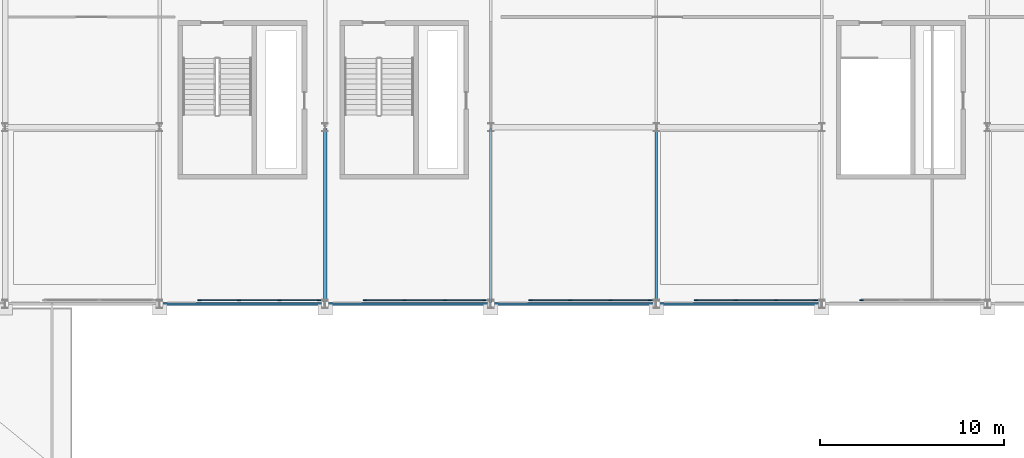
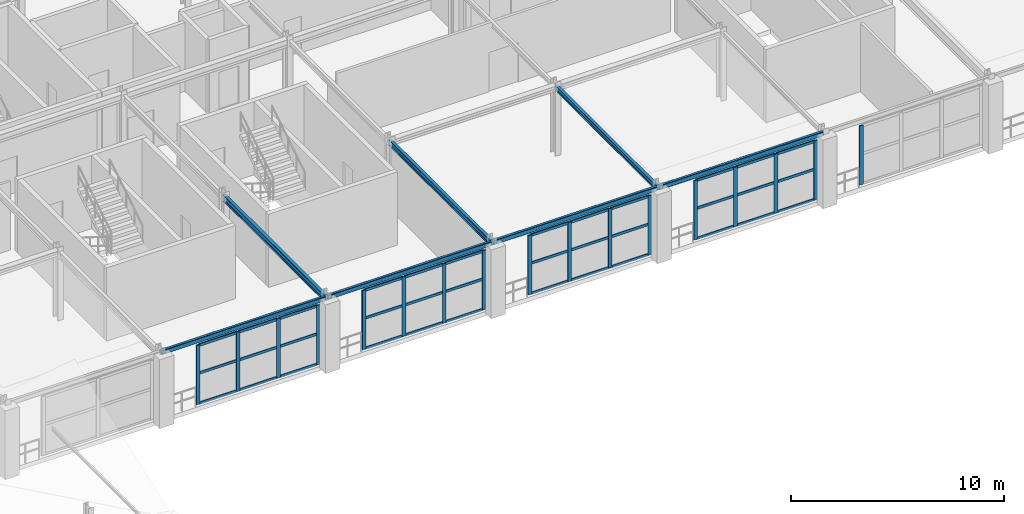
# One storey, part 30 of 81: 53 members, 7 beams, 5 elements without a shape of their own.
"""IFC4 building model written with IfcOpenShell, lengths in metres."""

from ifc_helpers import new_model, si_unit, direction, frame, origin, origin_2d, place, context, subcontext, project, spatial, rectangle, hollow_rectangle, i_section, extrude, material, layer, layer_set, material_profile, profile_set, type_object, element, aggregate, save


model = new_model("IFC4")

# Units and contexts
model_context = context("Model", 3, precision=1e-05, world=origin(), true_north=direction((0.0, 1.0)))
body_context = subcontext(model_context, "Body", "Model", "MODEL_VIEW")
ifc_project = project(units=[si_unit("LENGTHUNIT", "METRE"), si_unit("AREAUNIT", "SQUARE_METRE"), si_unit("VOLUMEUNIT", "CUBIC_METRE"), si_unit("PLANEANGLEUNIT", "RADIAN"), si_unit("MASSUNIT", "GRAM", prefix="KILO")], contexts=[model_context])

# Site, building, storey
site_placement = place(None, origin())
site = spatial("IfcSite", under=ifc_project, at=site_placement, CompositionType="ELEMENT")
building_placement = place(site_placement, origin())
building = spatial("IfcBuilding", under=site, at=building_placement, Name="Myrtia Square Station", CompositionType="ELEMENT")
storey_placement = place(building_placement, frame((0.0, 0.0, 10.800048828125)))
storey = spatial("IfcBuildingStorey", under=building, at=storey_placement, Name="L02", CompositionType="ELEMENT", Elevation=10.800048828125)

# Beams
ifc_material_1 = material(Name="Steel S355", Category="steel")
ifc_material_profile_1 = material_profile(ifc_material_1, i_section(OverallWidth=0.14990234375, OverallDepth=0.300048828125, WebThickness=0.007080078125, FlangeThickness=0.0107421875, FilletRadius=0.014892578125, at=origin_2d()), Name="IPE 300")
ifc_profile_set_1 = profile_set([ifc_material_profile_1], Name="Steel S355")
beam_type_1 = type_object("IfcBeamType", Name="BM-IPE300", PredefinedType="BEAM", material=ifc_profile_set_1)
beam_1_placement = place(storey_placement, frame((153.0, 86.449951171875, 3.81005859375), z_axis=(0.0, 1.0, 0.0), x_axis=(-1.0, 0.0, 0.0)))
element("IfcBeam", 1, at=beam_1_placement, inside=storey, type_object=beam_type_1, Name="Structural girder BMY-L02-0787", PredefinedType="BEAM", context=body_context, shape_type="SweptSolid", body=[
    extrude(i_section(OverallWidth=0.14990234375, OverallDepth=0.300048828125, WebThickness=0.007080078125, FlangeThickness=0.0107421875, FilletRadius=0.014892578125, at=origin_2d()), origin(), (0.0, 0.0, 1.0), 9.5),
])
ifc_material_profile_2 = material_profile(ifc_material_1, i_section(OverallWidth=0.159912109375, OverallDepth=0.330078125, WebThickness=0.007568359375, FlangeThickness=0.011474609375, FilletRadius=0.01806640625, at=origin_2d()), Name="IPE 330")
ifc_profile_set_2 = profile_set([ifc_material_profile_2], Name="Steel S355")
beam_type_2 = type_object("IfcBeamType", Name="BM-IPE330", PredefinedType="BEAM", material=ifc_profile_set_2)
beam_2_placement = place(storey_placement, frame((144.0, 86.449951171875, 3.794921875), z_axis=(0.0, 1.0, 0.0), x_axis=(-1.0, 0.0, 0.0)))
element("IfcBeam", 2, at=beam_2_placement, inside=storey, type_object=beam_type_2, Name="Structural girder BMY-L02-0783", PredefinedType="BEAM", context=body_context, shape_type="SweptSolid", body=[
    extrude(i_section(OverallWidth=0.159912109375, OverallDepth=0.330078125, WebThickness=0.007568359375, FlangeThickness=0.011474609375, FilletRadius=0.01806640625, at=origin_2d()), origin(), (0.0, 0.0, 1.0), 9.5),
])
ifc_material_profile_3 = material_profile(ifc_material_1, i_section(OverallWidth=0.169921875, OverallDepth=0.360107421875, WebThickness=0.008056640625, FlangeThickness=0.0126953125, FilletRadius=0.01806640625, at=origin_2d()), Name="IPE 360")
ifc_profile_set_3 = profile_set([ifc_material_profile_3], Name="Steel S355")
beam_type_3 = type_object("IfcBeamType", Name="BM-IPE360", PredefinedType="BEAM", material=ifc_profile_set_3)
beam_3_placement = place(storey_placement, frame((135.0, 86.449951171875, 3.780029296875), z_axis=(0.0, 1.0, 0.0), x_axis=(-1.0, 0.0, 0.0)))
element("IfcBeam", 3, at=beam_3_placement, inside=storey, type_object=beam_type_3, Name="Structural girder BMY-L02-0780", PredefinedType="BEAM", context=body_context, shape_type="SweptSolid", body=[
    extrude(i_section(OverallWidth=0.169921875, OverallDepth=0.360107421875, WebThickness=0.008056640625, FlangeThickness=0.0126953125, FilletRadius=0.01806640625, at=origin_2d()), origin(), (0.0, 0.0, 1.0), 9.5),
])

# Curtain wall, members
ifc_material_2 = material(Name="Dark bronze anodised aluminium", Category="aluminium")
ifc_layer = layer(ifc_material_2, 0.159912109375, Name="Dark bronze anodised aluminium")
ifc_layer_set = layer_set([ifc_layer], Name="Dark bronze anodised aluminium")
curtain_wall_type = type_object("IfcCurtainWallType", Name="CW-TYPE-40-658x340", PredefinedType="USERDEFINED", material=ifc_layer_set)
curtain_wall_1_placement = place(storey_placement, origin())
curtain_wall_1 = element("IfcCurtainWall", 4, at=curtain_wall_1_placement, inside=storey, type_object=curtain_wall_type, Name="Concourse curtain wall CW-L02-119", ObjectType="CONCOURSE CURTAIN WALL", PredefinedType="USERDEFINED")
ifc_material_profile_4 = material_profile(ifc_material_2, rectangle(XDim=0.06494140625, YDim=0.199951171875, at=origin_2d()), Name="ALU-M 65x200")
ifc_profile_set_4 = profile_set([ifc_material_profile_4], Name="Dark bronze anodised aluminium")
member_type_1 = type_object("IfcMemberType", Name="CWM-65x200", PredefinedType="MULLION", material=ifc_profile_set_4)
member_1_placement = place(storey_placement, frame((128.157470703125, 86.60009765625, 0.0), z_axis=(0.0, 0.0, 1.0), x_axis=(0.0, 1.0, 0.0)))
member_1 = element("IfcMember", 5, at=member_1_placement, type_object=member_type_1, Name="CW-119 mullion 1", PredefinedType="MULLION", context=body_context, shape_type="SweptSolid", body=[
    extrude(rectangle(XDim=0.06494140625, YDim=0.199951171875, at=origin_2d()), origin(), (0.0, 0.0, 1.0), 3.39990234375),
])
member_2_placement = place(storey_placement, frame((130.316650390625, 86.60009765625, 0.0), z_axis=(0.0, 0.0, 1.0), x_axis=(0.0, 1.0, 0.0)))
member_2 = element("IfcMember", 6, at=member_2_placement, type_object=member_type_1, Name="CW-119 mullion 2", PredefinedType="MULLION", context=body_context, shape_type="SweptSolid", body=[
    extrude(rectangle(XDim=0.06494140625, YDim=0.199951171875, at=origin_2d()), origin(), (0.0, 0.0, 1.0), 3.39990234375),
])
member_3_placement = place(storey_placement, frame((132.50830078125, 86.60009765625, 0.0), z_axis=(0.0, 0.0, 1.0), x_axis=(0.0, 1.0, 0.0)))
member_3 = element("IfcMember", 7, at=member_3_placement, type_object=member_type_1, Name="CW-119 mullion 3", PredefinedType="MULLION", context=body_context, shape_type="SweptSolid", body=[
    extrude(rectangle(XDim=0.06494140625, YDim=0.199951171875, at=origin_2d()), origin(), (0.0, 0.0, 1.0), 3.39990234375),
])
member_4_placement = place(storey_placement, frame((134.66748046875, 86.60009765625, 0.0), z_axis=(0.0, 0.0, 1.0), x_axis=(0.0, 1.0, 0.0)))
member_4 = element("IfcMember", 8, at=member_4_placement, type_object=member_type_1, Name="CW-119 mullion 4", PredefinedType="MULLION", context=body_context, shape_type="SweptSolid", body=[
    extrude(rectangle(XDim=0.06494140625, YDim=0.199951171875, at=origin_2d()), origin(), (0.0, 0.0, 1.0), 3.39990234375),
])

curtain_wall_2_placement = place(storey_placement, origin())
curtain_wall_2 = element("IfcCurtainWall", 9, at=curtain_wall_2_placement, inside=storey, type_object=curtain_wall_type, Name="Concourse curtain wall CW-L02-124", ObjectType="CONCOURSE CURTAIN WALL", PredefinedType="USERDEFINED")
member_5_placement = place(storey_placement, frame((137.157470703125, 86.60009765625, 0.0), z_axis=(0.0, 0.0, 1.0), x_axis=(0.0, 1.0, 0.0)))
member_5 = element("IfcMember", 10, at=member_5_placement, type_object=member_type_1, Name="CW-124 mullion 1", PredefinedType="MULLION", context=body_context, shape_type="SweptSolid", body=[
    extrude(rectangle(XDim=0.06494140625, YDim=0.199951171875, at=origin_2d()), origin(), (0.0, 0.0, 1.0), 3.39990234375),
])
member_6_placement = place(storey_placement, frame((139.316650390625, 86.60009765625, 0.0), z_axis=(0.0, 0.0, 1.0), x_axis=(0.0, 1.0, 0.0)))
member_6 = element("IfcMember", 11, at=member_6_placement, type_object=member_type_1, Name="CW-124 mullion 2", PredefinedType="MULLION", context=body_context, shape_type="SweptSolid", body=[
    extrude(rectangle(XDim=0.06494140625, YDim=0.199951171875, at=origin_2d()), origin(), (0.0, 0.0, 1.0), 3.39990234375),
])
member_7_placement = place(storey_placement, frame((141.50830078125, 86.60009765625, 0.0), z_axis=(0.0, 0.0, 1.0), x_axis=(0.0, 1.0, 0.0)))
member_7 = element("IfcMember", 12, at=member_7_placement, type_object=member_type_1, Name="CW-124 mullion 3", PredefinedType="MULLION", context=body_context, shape_type="SweptSolid", body=[
    extrude(rectangle(XDim=0.06494140625, YDim=0.199951171875, at=origin_2d()), origin(), (0.0, 0.0, 1.0), 3.39990234375),
])
member_8_placement = place(storey_placement, frame((143.66748046875, 86.60009765625, 0.0), z_axis=(0.0, 0.0, 1.0), x_axis=(0.0, 1.0, 0.0)))
member_8 = element("IfcMember", 13, at=member_8_placement, type_object=member_type_1, Name="CW-124 mullion 4", PredefinedType="MULLION", context=body_context, shape_type="SweptSolid", body=[
    extrude(rectangle(XDim=0.06494140625, YDim=0.199951171875, at=origin_2d()), origin(), (0.0, 0.0, 1.0), 3.39990234375),
])

curtain_wall_3_placement = place(storey_placement, origin())
curtain_wall_3 = element("IfcCurtainWall", 14, at=curtain_wall_3_placement, inside=storey, type_object=curtain_wall_type, Name="Concourse curtain wall CW-L02-128", ObjectType="CONCOURSE CURTAIN WALL", PredefinedType="USERDEFINED")
member_9_placement = place(storey_placement, frame((146.157470703125, 86.60009765625, 0.0), z_axis=(0.0, 0.0, 1.0), x_axis=(0.0, 1.0, 0.0)))
member_9 = element("IfcMember", 15, at=member_9_placement, type_object=member_type_1, Name="CW-128 mullion 1", PredefinedType="MULLION", context=body_context, shape_type="SweptSolid", body=[
    extrude(rectangle(XDim=0.06494140625, YDim=0.199951171875, at=origin_2d()), origin(), (0.0, 0.0, 1.0), 3.39990234375),
])
member_10_placement = place(storey_placement, frame((148.316650390625, 86.60009765625, 0.0), z_axis=(0.0, 0.0, 1.0), x_axis=(0.0, 1.0, 0.0)))
member_10 = element("IfcMember", 16, at=member_10_placement, type_object=member_type_1, Name="CW-128 mullion 2", PredefinedType="MULLION", context=body_context, shape_type="SweptSolid", body=[
    extrude(rectangle(XDim=0.06494140625, YDim=0.199951171875, at=origin_2d()), origin(), (0.0, 0.0, 1.0), 3.39990234375),
])
member_11_placement = place(storey_placement, frame((150.50830078125, 86.60009765625, 0.0), z_axis=(0.0, 0.0, 1.0), x_axis=(0.0, 1.0, 0.0)))
member_11 = element("IfcMember", 17, at=member_11_placement, type_object=member_type_1, Name="CW-128 mullion 3", PredefinedType="MULLION", context=body_context, shape_type="SweptSolid", body=[
    extrude(rectangle(XDim=0.06494140625, YDim=0.199951171875, at=origin_2d()), origin(), (0.0, 0.0, 1.0), 3.39990234375),
])
member_12_placement = place(storey_placement, frame((152.66748046875, 86.60009765625, 0.0), z_axis=(0.0, 0.0, 1.0), x_axis=(0.0, 1.0, 0.0)))
member_12 = element("IfcMember", 18, at=member_12_placement, type_object=member_type_1, Name="CW-128 mullion 4", PredefinedType="MULLION", context=body_context, shape_type="SweptSolid", body=[
    extrude(rectangle(XDim=0.06494140625, YDim=0.199951171875, at=origin_2d()), origin(), (0.0, 0.0, 1.0), 3.39990234375),
])

curtain_wall_4_placement = place(storey_placement, origin())
curtain_wall_4 = element("IfcCurtainWall", 19, at=curtain_wall_4_placement, inside=storey, type_object=curtain_wall_type, Name="Concourse curtain wall CW-L02-132", ObjectType="CONCOURSE CURTAIN WALL", PredefinedType="USERDEFINED")
member_13_placement = place(storey_placement, frame((155.157470703125, 86.60009765625, 0.0), z_axis=(0.0, 0.0, 1.0), x_axis=(0.0, 1.0, 0.0)))
member_13 = element("IfcMember", 20, at=member_13_placement, type_object=member_type_1, Name="CW-132 mullion 1", PredefinedType="MULLION", context=body_context, shape_type="SweptSolid", body=[
    extrude(rectangle(XDim=0.06494140625, YDim=0.199951171875, at=origin_2d()), origin(), (0.0, 0.0, 1.0), 3.39990234375),
])
member_14_placement = place(storey_placement, frame((157.316650390625, 86.60009765625, 0.0), z_axis=(0.0, 0.0, 1.0), x_axis=(0.0, 1.0, 0.0)))
member_14 = element("IfcMember", 21, at=member_14_placement, type_object=member_type_1, Name="CW-132 mullion 2", PredefinedType="MULLION", context=body_context, shape_type="SweptSolid", body=[
    extrude(rectangle(XDim=0.06494140625, YDim=0.199951171875, at=origin_2d()), origin(), (0.0, 0.0, 1.0), 3.39990234375),
])
member_15_placement = place(storey_placement, frame((159.50830078125, 86.60009765625, 0.0), z_axis=(0.0, 0.0, 1.0), x_axis=(0.0, 1.0, 0.0)))
member_15 = element("IfcMember", 22, at=member_15_placement, type_object=member_type_1, Name="CW-132 mullion 3", PredefinedType="MULLION", context=body_context, shape_type="SweptSolid", body=[
    extrude(rectangle(XDim=0.06494140625, YDim=0.199951171875, at=origin_2d()), origin(), (0.0, 0.0, 1.0), 3.39990234375),
])
member_16_placement = place(storey_placement, frame((161.66748046875, 86.60009765625, 0.0), z_axis=(0.0, 0.0, 1.0), x_axis=(0.0, 1.0, 0.0)))
member_16 = element("IfcMember", 23, at=member_16_placement, type_object=member_type_1, Name="CW-132 mullion 4", PredefinedType="MULLION", context=body_context, shape_type="SweptSolid", body=[
    extrude(rectangle(XDim=0.06494140625, YDim=0.199951171875, at=origin_2d()), origin(), (0.0, 0.0, 1.0), 3.39990234375),
])

# Curtain wall, member
curtain_wall_5_placement = place(storey_placement, origin())
curtain_wall_5 = element("IfcCurtainWall", 24, at=curtain_wall_5_placement, inside=storey, type_object=curtain_wall_type, Name="Concourse curtain wall CW-L02-137", ObjectType="CONCOURSE CURTAIN WALL", PredefinedType="USERDEFINED")
member_17_placement = place(storey_placement, frame((164.157470703125, 86.60009765625, 0.0), z_axis=(0.0, 0.0, 1.0), x_axis=(0.0, 1.0, 0.0)))
member_17 = element("IfcMember", 25, at=member_17_placement, type_object=member_type_1, Name="CW-137 mullion 1", PredefinedType="MULLION", context=body_context, shape_type="SweptSolid", body=[
    extrude(rectangle(XDim=0.06494140625, YDim=0.199951171875, at=origin_2d()), origin(), (0.0, 0.0, 1.0), 3.39990234375),
])
aggregate(curtain_wall_5, [member_17])

# Member
ifc_material_profile_5 = material_profile(ifc_material_2, rectangle(XDim=0.06494140625, YDim=0.14990234375, at=origin_2d()), Name="ALU-T 65x150")
ifc_profile_set_5 = profile_set([ifc_material_profile_5], Name="Dark bronze anodised aluminium")
member_type_2 = type_object("IfcMemberType", Name="CWT-65x150", PredefinedType="USERDEFINED", material=ifc_profile_set_5)
member_18_placement = place(storey_placement, frame((128.18994140625, 86.60009765625, 0.032470703125), z_axis=(1.0, 0.0, 0.0), x_axis=(0.0, 1.0, 0.0)))
member_18 = element("IfcMember", 26, at=member_18_placement, type_object=member_type_2, Name="CW-119 transom 1.1", ObjectType="TRANSOM", PredefinedType="USERDEFINED", context=body_context, shape_type="SweptSolid", body=[
    extrude(rectangle(XDim=0.06494140625, YDim=0.14990234375, at=origin_2d()), origin(), (0.0, 0.0, 1.0), 2.09423828125),
])

member_19_placement = place(storey_placement, frame((128.18994140625, 86.60009765625, 1.76806640625), z_axis=(1.0, 0.0, 0.0), x_axis=(0.0, 1.0, 0.0)))
member_19 = element("IfcMember", 27, at=member_19_placement, type_object=member_type_2, Name="CW-119 transom 1.2", ObjectType="TRANSOM", PredefinedType="USERDEFINED", context=body_context, shape_type="SweptSolid", body=[
    extrude(rectangle(XDim=0.06494140625, YDim=0.14990234375, at=origin_2d()), origin(), (0.0, 0.0, 1.0), 2.09423828125),
])

member_20_placement = place(storey_placement, frame((128.18994140625, 86.60009765625, 3.367431640625), z_axis=(1.0, 0.0, 0.0), x_axis=(0.0, 1.0, 0.0)))
member_20 = element("IfcMember", 28, at=member_20_placement, type_object=member_type_2, Name="CW-119 transom 1.3", ObjectType="TRANSOM", PredefinedType="USERDEFINED", context=body_context, shape_type="SweptSolid", body=[
    extrude(rectangle(XDim=0.06494140625, YDim=0.14990234375, at=origin_2d()), origin(), (0.0, 0.0, 1.0), 2.09423828125),
])

member_21_placement = place(storey_placement, frame((130.34912109375, 86.60009765625, 0.032470703125), z_axis=(1.0, 0.0, 0.0), x_axis=(0.0, 1.0, 0.0)))
member_21 = element("IfcMember", 29, at=member_21_placement, type_object=member_type_2, Name="CW-119 transom 2.1", ObjectType="TRANSOM", PredefinedType="USERDEFINED", context=body_context, shape_type="SweptSolid", body=[
    extrude(rectangle(XDim=0.06494140625, YDim=0.14990234375, at=origin_2d()), origin(), (0.0, 0.0, 1.0), 2.126708984375),
])

member_22_placement = place(storey_placement, frame((130.34912109375, 86.60009765625, 1.76806640625), z_axis=(1.0, 0.0, 0.0), x_axis=(0.0, 1.0, 0.0)))
member_22 = element("IfcMember", 30, at=member_22_placement, type_object=member_type_2, Name="CW-119 transom 2.2", ObjectType="TRANSOM", PredefinedType="USERDEFINED", context=body_context, shape_type="SweptSolid", body=[
    extrude(rectangle(XDim=0.06494140625, YDim=0.14990234375, at=origin_2d()), origin(), (0.0, 0.0, 1.0), 2.126708984375),
])

member_23_placement = place(storey_placement, frame((130.34912109375, 86.60009765625, 3.367431640625), z_axis=(1.0, 0.0, 0.0), x_axis=(0.0, 1.0, 0.0)))
member_23 = element("IfcMember", 31, at=member_23_placement, type_object=member_type_2, Name="CW-119 transom 2.3", ObjectType="TRANSOM", PredefinedType="USERDEFINED", context=body_context, shape_type="SweptSolid", body=[
    extrude(rectangle(XDim=0.06494140625, YDim=0.14990234375, at=origin_2d()), origin(), (0.0, 0.0, 1.0), 2.126708984375),
])

member_24_placement = place(storey_placement, frame((132.540771484375, 86.60009765625, 0.032470703125), z_axis=(1.0, 0.0, 0.0), x_axis=(0.0, 1.0, 0.0)))
member_24 = element("IfcMember", 32, at=member_24_placement, type_object=member_type_2, Name="CW-119 transom 3.1", ObjectType="TRANSOM", PredefinedType="USERDEFINED", context=body_context, shape_type="SweptSolid", body=[
    extrude(rectangle(XDim=0.06494140625, YDim=0.14990234375, at=origin_2d()), origin(), (0.0, 0.0, 1.0), 2.09423828125),
])

member_25_placement = place(storey_placement, frame((132.540771484375, 86.60009765625, 1.76806640625), z_axis=(1.0, 0.0, 0.0), x_axis=(0.0, 1.0, 0.0)))
member_25 = element("IfcMember", 33, at=member_25_placement, type_object=member_type_2, Name="CW-119 transom 3.2", ObjectType="TRANSOM", PredefinedType="USERDEFINED", context=body_context, shape_type="SweptSolid", body=[
    extrude(rectangle(XDim=0.06494140625, YDim=0.14990234375, at=origin_2d()), origin(), (0.0, 0.0, 1.0), 2.09423828125),
])

member_26_placement = place(storey_placement, frame((132.540771484375, 86.60009765625, 3.367431640625), z_axis=(1.0, 0.0, 0.0), x_axis=(0.0, 1.0, 0.0)))
member_26 = element("IfcMember", 34, at=member_26_placement, type_object=member_type_2, Name="CW-119 transom 3.3", ObjectType="TRANSOM", PredefinedType="USERDEFINED", context=body_context, shape_type="SweptSolid", body=[
    extrude(rectangle(XDim=0.06494140625, YDim=0.14990234375, at=origin_2d()), origin(), (0.0, 0.0, 1.0), 2.09423828125),
])

aggregate(curtain_wall_1, [member_1, member_2, member_3, member_4, member_18, member_19, member_20, member_21, member_22, member_23, member_24, member_25, member_26])

member_27_placement = place(storey_placement, frame((137.18994140625, 86.60009765625, 0.032470703125), z_axis=(1.0, 0.0, 0.0), x_axis=(0.0, 1.0, 0.0)))
member_27 = element("IfcMember", 35, at=member_27_placement, type_object=member_type_2, Name="CW-124 transom 1.1", ObjectType="TRANSOM", PredefinedType="USERDEFINED", context=body_context, shape_type="SweptSolid", body=[
    extrude(rectangle(XDim=0.06494140625, YDim=0.14990234375, at=origin_2d()), origin(), (0.0, 0.0, 1.0), 2.09423828125),
])

member_28_placement = place(storey_placement, frame((137.18994140625, 86.60009765625, 1.76806640625), z_axis=(1.0, 0.0, 0.0), x_axis=(0.0, 1.0, 0.0)))
member_28 = element("IfcMember", 36, at=member_28_placement, type_object=member_type_2, Name="CW-124 transom 1.2", ObjectType="TRANSOM", PredefinedType="USERDEFINED", context=body_context, shape_type="SweptSolid", body=[
    extrude(rectangle(XDim=0.06494140625, YDim=0.14990234375, at=origin_2d()), origin(), (0.0, 0.0, 1.0), 2.09423828125),
])

member_29_placement = place(storey_placement, frame((137.18994140625, 86.60009765625, 3.367431640625), z_axis=(1.0, 0.0, 0.0), x_axis=(0.0, 1.0, 0.0)))
member_29 = element("IfcMember", 37, at=member_29_placement, type_object=member_type_2, Name="CW-124 transom 1.3", ObjectType="TRANSOM", PredefinedType="USERDEFINED", context=body_context, shape_type="SweptSolid", body=[
    extrude(rectangle(XDim=0.06494140625, YDim=0.14990234375, at=origin_2d()), origin(), (0.0, 0.0, 1.0), 2.09423828125),
])

member_30_placement = place(storey_placement, frame((139.34912109375, 86.60009765625, 0.032470703125), z_axis=(1.0, 0.0, 0.0), x_axis=(0.0, 1.0, 0.0)))
member_30 = element("IfcMember", 38, at=member_30_placement, type_object=member_type_2, Name="CW-124 transom 2.1", ObjectType="TRANSOM", PredefinedType="USERDEFINED", context=body_context, shape_type="SweptSolid", body=[
    extrude(rectangle(XDim=0.06494140625, YDim=0.14990234375, at=origin_2d()), origin(), (0.0, 0.0, 1.0), 2.126708984375),
])

member_31_placement = place(storey_placement, frame((139.34912109375, 86.60009765625, 1.76806640625), z_axis=(1.0, 0.0, 0.0), x_axis=(0.0, 1.0, 0.0)))
member_31 = element("IfcMember", 39, at=member_31_placement, type_object=member_type_2, Name="CW-124 transom 2.2", ObjectType="TRANSOM", PredefinedType="USERDEFINED", context=body_context, shape_type="SweptSolid", body=[
    extrude(rectangle(XDim=0.06494140625, YDim=0.14990234375, at=origin_2d()), origin(), (0.0, 0.0, 1.0), 2.126708984375),
])

member_32_placement = place(storey_placement, frame((139.34912109375, 86.60009765625, 3.367431640625), z_axis=(1.0, 0.0, 0.0), x_axis=(0.0, 1.0, 0.0)))
member_32 = element("IfcMember", 40, at=member_32_placement, type_object=member_type_2, Name="CW-124 transom 2.3", ObjectType="TRANSOM", PredefinedType="USERDEFINED", context=body_context, shape_type="SweptSolid", body=[
    extrude(rectangle(XDim=0.06494140625, YDim=0.14990234375, at=origin_2d()), origin(), (0.0, 0.0, 1.0), 2.126708984375),
])

member_33_placement = place(storey_placement, frame((141.540771484375, 86.60009765625, 0.032470703125), z_axis=(1.0, 0.0, 0.0), x_axis=(0.0, 1.0, 0.0)))
member_33 = element("IfcMember", 41, at=member_33_placement, type_object=member_type_2, Name="CW-124 transom 3.1", ObjectType="TRANSOM", PredefinedType="USERDEFINED", context=body_context, shape_type="SweptSolid", body=[
    extrude(rectangle(XDim=0.06494140625, YDim=0.14990234375, at=origin_2d()), origin(), (0.0, 0.0, 1.0), 2.09423828125),
])

member_34_placement = place(storey_placement, frame((141.540771484375, 86.60009765625, 1.76806640625), z_axis=(1.0, 0.0, 0.0), x_axis=(0.0, 1.0, 0.0)))
member_34 = element("IfcMember", 42, at=member_34_placement, type_object=member_type_2, Name="CW-124 transom 3.2", ObjectType="TRANSOM", PredefinedType="USERDEFINED", context=body_context, shape_type="SweptSolid", body=[
    extrude(rectangle(XDim=0.06494140625, YDim=0.14990234375, at=origin_2d()), origin(), (0.0, 0.0, 1.0), 2.09423828125),
])

member_35_placement = place(storey_placement, frame((141.540771484375, 86.60009765625, 3.367431640625), z_axis=(1.0, 0.0, 0.0), x_axis=(0.0, 1.0, 0.0)))
member_35 = element("IfcMember", 43, at=member_35_placement, type_object=member_type_2, Name="CW-124 transom 3.3", ObjectType="TRANSOM", PredefinedType="USERDEFINED", context=body_context, shape_type="SweptSolid", body=[
    extrude(rectangle(XDim=0.06494140625, YDim=0.14990234375, at=origin_2d()), origin(), (0.0, 0.0, 1.0), 2.09423828125),
])

aggregate(curtain_wall_2, [member_5, member_6, member_7, member_8, member_27, member_28, member_29, member_30, member_31, member_32, member_33, member_34, member_35])

member_36_placement = place(storey_placement, frame((146.18994140625, 86.60009765625, 0.032470703125), z_axis=(1.0, 0.0, 0.0), x_axis=(0.0, 1.0, 0.0)))
member_36 = element("IfcMember", 44, at=member_36_placement, type_object=member_type_2, Name="CW-128 transom 1.1", ObjectType="TRANSOM", PredefinedType="USERDEFINED", context=body_context, shape_type="SweptSolid", body=[
    extrude(rectangle(XDim=0.06494140625, YDim=0.14990234375, at=origin_2d()), origin(), (0.0, 0.0, 1.0), 2.09423828125),
])

member_37_placement = place(storey_placement, frame((146.18994140625, 86.60009765625, 1.76806640625), z_axis=(1.0, 0.0, 0.0), x_axis=(0.0, 1.0, 0.0)))
member_37 = element("IfcMember", 45, at=member_37_placement, type_object=member_type_2, Name="CW-128 transom 1.2", ObjectType="TRANSOM", PredefinedType="USERDEFINED", context=body_context, shape_type="SweptSolid", body=[
    extrude(rectangle(XDim=0.06494140625, YDim=0.14990234375, at=origin_2d()), origin(), (0.0, 0.0, 1.0), 2.09423828125),
])

member_38_placement = place(storey_placement, frame((146.18994140625, 86.60009765625, 3.367431640625), z_axis=(1.0, 0.0, 0.0), x_axis=(0.0, 1.0, 0.0)))
member_38 = element("IfcMember", 46, at=member_38_placement, type_object=member_type_2, Name="CW-128 transom 1.3", ObjectType="TRANSOM", PredefinedType="USERDEFINED", context=body_context, shape_type="SweptSolid", body=[
    extrude(rectangle(XDim=0.06494140625, YDim=0.14990234375, at=origin_2d()), origin(), (0.0, 0.0, 1.0), 2.09423828125),
])

member_39_placement = place(storey_placement, frame((148.34912109375, 86.60009765625, 0.032470703125), z_axis=(1.0, 0.0, 0.0), x_axis=(0.0, 1.0, 0.0)))
member_39 = element("IfcMember", 47, at=member_39_placement, type_object=member_type_2, Name="CW-128 transom 2.1", ObjectType="TRANSOM", PredefinedType="USERDEFINED", context=body_context, shape_type="SweptSolid", body=[
    extrude(rectangle(XDim=0.06494140625, YDim=0.14990234375, at=origin_2d()), origin(), (0.0, 0.0, 1.0), 2.126708984375),
])

member_40_placement = place(storey_placement, frame((148.34912109375, 86.60009765625, 1.76806640625), z_axis=(1.0, 0.0, 0.0), x_axis=(0.0, 1.0, 0.0)))
member_40 = element("IfcMember", 48, at=member_40_placement, type_object=member_type_2, Name="CW-128 transom 2.2", ObjectType="TRANSOM", PredefinedType="USERDEFINED", context=body_context, shape_type="SweptSolid", body=[
    extrude(rectangle(XDim=0.06494140625, YDim=0.14990234375, at=origin_2d()), origin(), (0.0, 0.0, 1.0), 2.126708984375),
])

member_41_placement = place(storey_placement, frame((148.34912109375, 86.60009765625, 3.367431640625), z_axis=(1.0, 0.0, 0.0), x_axis=(0.0, 1.0, 0.0)))
member_41 = element("IfcMember", 49, at=member_41_placement, type_object=member_type_2, Name="CW-128 transom 2.3", ObjectType="TRANSOM", PredefinedType="USERDEFINED", context=body_context, shape_type="SweptSolid", body=[
    extrude(rectangle(XDim=0.06494140625, YDim=0.14990234375, at=origin_2d()), origin(), (0.0, 0.0, 1.0), 2.126708984375),
])

member_42_placement = place(storey_placement, frame((150.540771484375, 86.60009765625, 0.032470703125), z_axis=(1.0, 0.0, 0.0), x_axis=(0.0, 1.0, 0.0)))
member_42 = element("IfcMember", 50, at=member_42_placement, type_object=member_type_2, Name="CW-128 transom 3.1", ObjectType="TRANSOM", PredefinedType="USERDEFINED", context=body_context, shape_type="SweptSolid", body=[
    extrude(rectangle(XDim=0.06494140625, YDim=0.14990234375, at=origin_2d()), origin(), (0.0, 0.0, 1.0), 2.09423828125),
])

member_43_placement = place(storey_placement, frame((150.540771484375, 86.60009765625, 1.76806640625), z_axis=(1.0, 0.0, 0.0), x_axis=(0.0, 1.0, 0.0)))
member_43 = element("IfcMember", 51, at=member_43_placement, type_object=member_type_2, Name="CW-128 transom 3.2", ObjectType="TRANSOM", PredefinedType="USERDEFINED", context=body_context, shape_type="SweptSolid", body=[
    extrude(rectangle(XDim=0.06494140625, YDim=0.14990234375, at=origin_2d()), origin(), (0.0, 0.0, 1.0), 2.09423828125),
])

member_44_placement = place(storey_placement, frame((150.540771484375, 86.60009765625, 3.367431640625), z_axis=(1.0, 0.0, 0.0), x_axis=(0.0, 1.0, 0.0)))
member_44 = element("IfcMember", 52, at=member_44_placement, type_object=member_type_2, Name="CW-128 transom 3.3", ObjectType="TRANSOM", PredefinedType="USERDEFINED", context=body_context, shape_type="SweptSolid", body=[
    extrude(rectangle(XDim=0.06494140625, YDim=0.14990234375, at=origin_2d()), origin(), (0.0, 0.0, 1.0), 2.09423828125),
])

aggregate(curtain_wall_3, [member_9, member_10, member_11, member_12, member_36, member_37, member_38, member_39, member_40, member_41, member_42, member_43, member_44])

member_45_placement = place(storey_placement, frame((155.18994140625, 86.60009765625, 0.032470703125), z_axis=(1.0, 0.0, 0.0), x_axis=(0.0, 1.0, 0.0)))
member_45 = element("IfcMember", 53, at=member_45_placement, type_object=member_type_2, Name="CW-132 transom 1.1", ObjectType="TRANSOM", PredefinedType="USERDEFINED", context=body_context, shape_type="SweptSolid", body=[
    extrude(rectangle(XDim=0.06494140625, YDim=0.14990234375, at=origin_2d()), origin(), (0.0, 0.0, 1.0), 2.09423828125),
])

member_46_placement = place(storey_placement, frame((155.18994140625, 86.60009765625, 1.76806640625), z_axis=(1.0, 0.0, 0.0), x_axis=(0.0, 1.0, 0.0)))
member_46 = element("IfcMember", 54, at=member_46_placement, type_object=member_type_2, Name="CW-132 transom 1.2", ObjectType="TRANSOM", PredefinedType="USERDEFINED", context=body_context, shape_type="SweptSolid", body=[
    extrude(rectangle(XDim=0.06494140625, YDim=0.14990234375, at=origin_2d()), origin(), (0.0, 0.0, 1.0), 2.09423828125),
])

member_47_placement = place(storey_placement, frame((155.18994140625, 86.60009765625, 3.367431640625), z_axis=(1.0, 0.0, 0.0), x_axis=(0.0, 1.0, 0.0)))
member_47 = element("IfcMember", 55, at=member_47_placement, type_object=member_type_2, Name="CW-132 transom 1.3", ObjectType="TRANSOM", PredefinedType="USERDEFINED", context=body_context, shape_type="SweptSolid", body=[
    extrude(rectangle(XDim=0.06494140625, YDim=0.14990234375, at=origin_2d()), origin(), (0.0, 0.0, 1.0), 2.09423828125),
])

member_48_placement = place(storey_placement, frame((157.34912109375, 86.60009765625, 0.032470703125), z_axis=(1.0, 0.0, 0.0), x_axis=(0.0, 1.0, 0.0)))
member_48 = element("IfcMember", 56, at=member_48_placement, type_object=member_type_2, Name="CW-132 transom 2.1", ObjectType="TRANSOM", PredefinedType="USERDEFINED", context=body_context, shape_type="SweptSolid", body=[
    extrude(rectangle(XDim=0.06494140625, YDim=0.14990234375, at=origin_2d()), origin(), (0.0, 0.0, 1.0), 2.126708984375),
])

member_49_placement = place(storey_placement, frame((157.34912109375, 86.60009765625, 1.76806640625), z_axis=(1.0, 0.0, 0.0), x_axis=(0.0, 1.0, 0.0)))
member_49 = element("IfcMember", 57, at=member_49_placement, type_object=member_type_2, Name="CW-132 transom 2.2", ObjectType="TRANSOM", PredefinedType="USERDEFINED", context=body_context, shape_type="SweptSolid", body=[
    extrude(rectangle(XDim=0.06494140625, YDim=0.14990234375, at=origin_2d()), origin(), (0.0, 0.0, 1.0), 2.126708984375),
])

member_50_placement = place(storey_placement, frame((157.34912109375, 86.60009765625, 3.367431640625), z_axis=(1.0, 0.0, 0.0), x_axis=(0.0, 1.0, 0.0)))
member_50 = element("IfcMember", 58, at=member_50_placement, type_object=member_type_2, Name="CW-132 transom 2.3", ObjectType="TRANSOM", PredefinedType="USERDEFINED", context=body_context, shape_type="SweptSolid", body=[
    extrude(rectangle(XDim=0.06494140625, YDim=0.14990234375, at=origin_2d()), origin(), (0.0, 0.0, 1.0), 2.126708984375),
])

member_51_placement = place(storey_placement, frame((159.540771484375, 86.60009765625, 0.032470703125), z_axis=(1.0, 0.0, 0.0), x_axis=(0.0, 1.0, 0.0)))
member_51 = element("IfcMember", 59, at=member_51_placement, type_object=member_type_2, Name="CW-132 transom 3.1", ObjectType="TRANSOM", PredefinedType="USERDEFINED", context=body_context, shape_type="SweptSolid", body=[
    extrude(rectangle(XDim=0.06494140625, YDim=0.14990234375, at=origin_2d()), origin(), (0.0, 0.0, 1.0), 2.09423828125),
])

member_52_placement = place(storey_placement, frame((159.540771484375, 86.60009765625, 1.76806640625), z_axis=(1.0, 0.0, 0.0), x_axis=(0.0, 1.0, 0.0)))
member_52 = element("IfcMember", 60, at=member_52_placement, type_object=member_type_2, Name="CW-132 transom 3.2", ObjectType="TRANSOM", PredefinedType="USERDEFINED", context=body_context, shape_type="SweptSolid", body=[
    extrude(rectangle(XDim=0.06494140625, YDim=0.14990234375, at=origin_2d()), origin(), (0.0, 0.0, 1.0), 2.09423828125),
])

member_53_placement = place(storey_placement, frame((159.540771484375, 86.60009765625, 3.367431640625), z_axis=(1.0, 0.0, 0.0), x_axis=(0.0, 1.0, 0.0)))
member_53 = element("IfcMember", 61, at=member_53_placement, type_object=member_type_2, Name="CW-132 transom 3.3", ObjectType="TRANSOM", PredefinedType="USERDEFINED", context=body_context, shape_type="SweptSolid", body=[
    extrude(rectangle(XDim=0.06494140625, YDim=0.14990234375, at=origin_2d()), origin(), (0.0, 0.0, 1.0), 2.09423828125),
])

aggregate(curtain_wall_4, [member_13, member_14, member_15, member_16, member_45, member_46, member_47, member_48, member_49, member_50, member_51, member_52, member_53])

# Beams
ifc_material_profile_6 = material_profile(ifc_material_1, hollow_rectangle(XDim=0.14990234375, YDim=0.25, WallThickness=0.012451171875, InnerFilletRadius=0.012451171875, OuterFilletRadius=0.02490234375, at=origin_2d()), Name="RHS 250x150x12.5")
ifc_profile_set_6 = profile_set([ifc_material_profile_6], Name="Steel S355")
beam_type_4 = type_object("IfcBeamType", Name="SPN-RHS250", PredefinedType="SPANDREL", material=ifc_profile_set_6)
for number, where, z_axis, x_axis, name in (
    (62, (126.050048828125, 86.39990234375, 3.8349609375), (1.0, 0.0, 0.0), (0.0, 1.0, 0.0), "Structural girder SPN-L02-0210"),
    (63, (135.050048828125, 86.39990234375, 3.8349609375), (1.0, 0.0, 0.0), (0.0, 1.0, 0.0), "Structural girder SPN-L02-0211"),
    (64, (144.050048828125, 86.39990234375, 3.8349609375), (1.0, 0.0, 0.0), (0.0, 1.0, 0.0), "Structural girder SPN-L02-0212"),
    (65, (153.050048828125, 86.39990234375, 3.8349609375), (1.0, 0.0, 0.0), (0.0, 1.0, 0.0), "Structural girder SPN-L02-0213"),
):
    element("IfcBeam", number, at=place(storey_placement, frame(where, z_axis=z_axis, x_axis=x_axis)), inside=storey, type_object=beam_type_4, Name=name, PredefinedType="SPANDREL", context=body_context, shape_type="SweptSolid", body=[
        extrude(hollow_rectangle(XDim=0.14990234375, YDim=0.25, WallThickness=0.012451171875, InnerFilletRadius=0.012451171875, OuterFilletRadius=0.02490234375, at=origin_2d()), origin(), (0.0, 0.0, 1.0), 8.89990234375),
    ])

save(model, "model.ifc")
